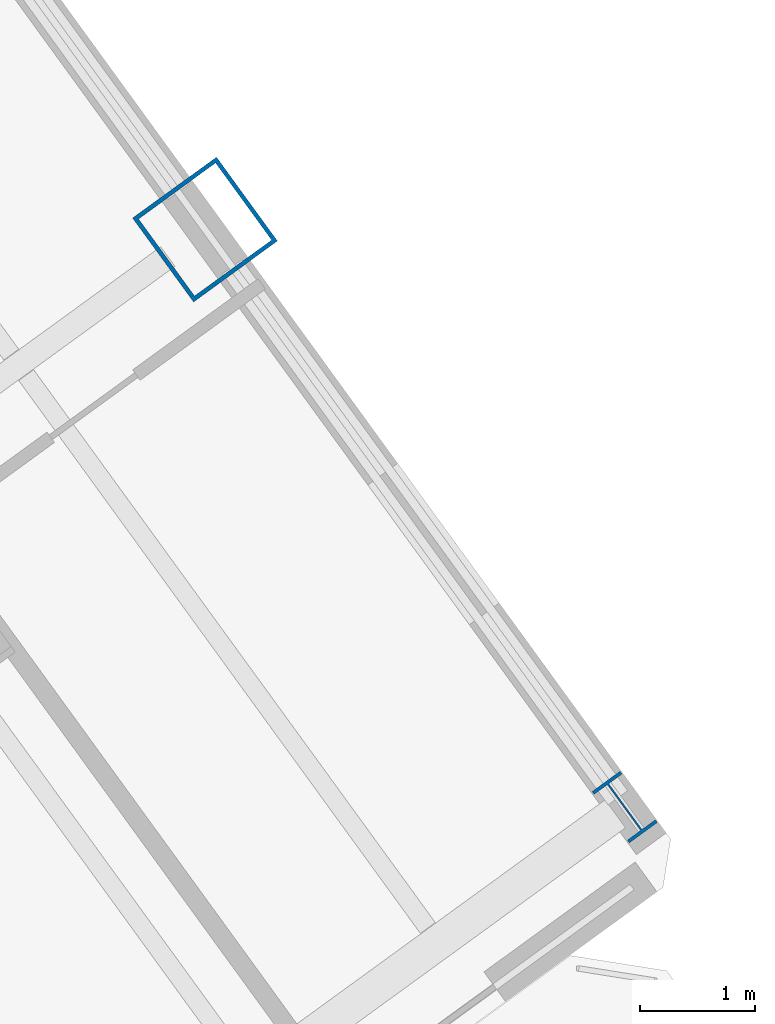
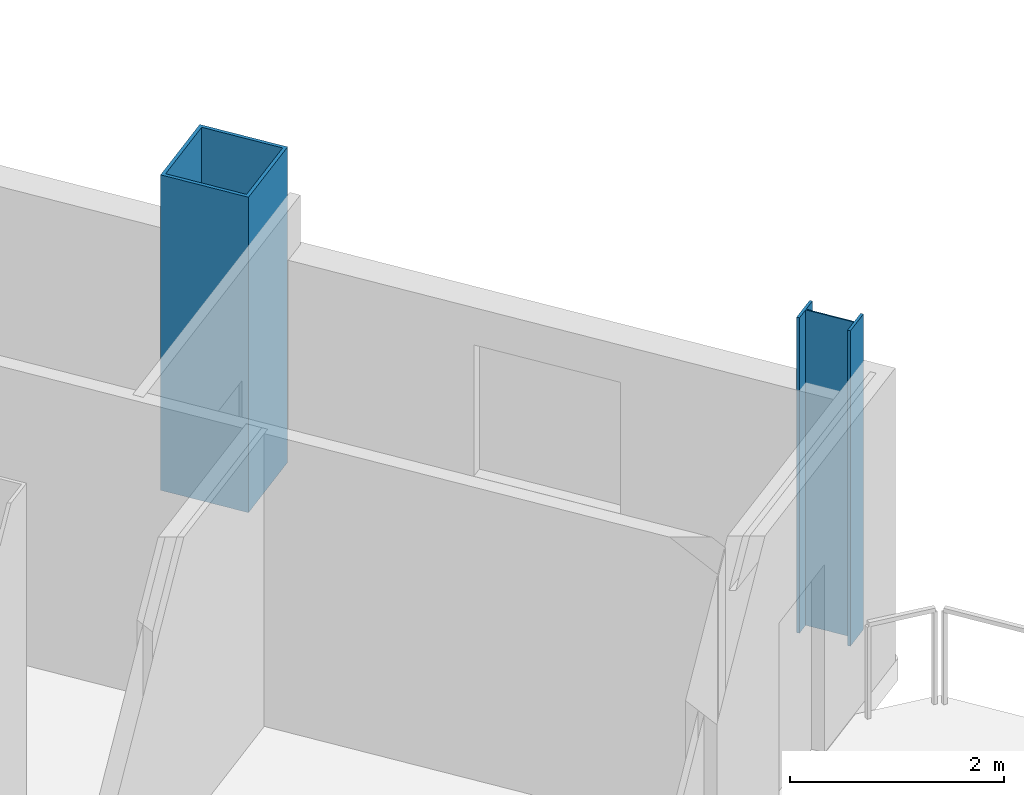
# One storey, part 4 of 29: 2 columns.
"""IFC4 building model written with IfcOpenShell, lengths in metres."""

from ifc_helpers import new_model, si_unit, direction, frame, origin, origin_2d, place, context, subcontext, project, spatial, hollow_rectangle, i_section, extrude, source, transform, mapped, material, material_profile, profile_set, type_object, element, save


model = new_model("IFC4")

# Units and contexts
model_context = context("Model", 3, precision=1e-05, world=origin(), true_north=direction((0.0, 1.0)))
body_context = subcontext(model_context, "Body", "Model", "MODEL_VIEW")
ifc_project = project(units=[si_unit("LENGTHUNIT", "METRE"), si_unit("AREAUNIT", "SQUARE_METRE"), si_unit("VOLUMEUNIT", "CUBIC_METRE"), si_unit("PLANEANGLEUNIT", "RADIAN"), si_unit("MASSUNIT", "GRAM", prefix="KILO")], contexts=[model_context])

# Site, building, storey
site_placement = place(None, origin())
site = spatial("IfcSite", under=ifc_project, at=site_placement, CompositionType="ELEMENT")
building_placement = place(site_placement, origin())
building = spatial("IfcBuilding", under=site, at=building_placement, Name="Tlacorven Tower", CompositionType="ELEMENT")
storey_placement = place(building_placement, frame((0.0, 0.0, 158.699951171875)))
storey = spatial("IfcBuildingStorey", under=building, at=storey_placement, Name="L40", CompositionType="ELEMENT", Elevation=158.699951171875)

# Columns
ifc_material = material(Name="Steel S460M", Category="steel")
ifc_material_profile_1 = material_profile(ifc_material, hollow_rectangle(XDim=0.89990234375, YDim=0.89990234375, WallThickness=0.035888671875, at=origin_2d()), Name="BOX 900X900X36")
ifc_profile_set_1 = profile_set([ifc_material_profile_1], Name="Steel S460M")
column_type_1 = type_object("IfcColumnType", Name="COL-TWR-S2", PredefinedType="COLUMN", material=ifc_profile_set_1)
shared_shape_1 = source(origin(), body_context, "Body", "SweptSolid", [
    extrude(hollow_rectangle(XDim=0.89990234375, YDim=0.89990234375, WallThickness=0.035888671875, at=origin_2d()), origin(), (0.0, 0.0, 1.0), 3.60009765625),
])
column_1_placement = place(storey_placement, frame((67.267822265625, 23.353515625, 0.0), z_axis=(0.0, 0.0, 1.0), x_axis=(0.809016994375, 0.587785252292, 0.0)))
element("IfcColumn", 1, at=column_1_placement, inside=storey, type_object=column_type_1, Name="L40 column COL-L40-E4-2", PredefinedType="COLUMN", context=body_context, shape_type="MappedRepresentation", body=[
    mapped(shared_shape_1, transform((0.0, 0.0, 0.0), scale=1.0)),
])
ifc_material_profile_2 = material_profile(ifc_material, i_section(OverallWidth=0.300048828125, OverallDepth=0.550048828125, WebThickness=0.014892578125, FlangeThickness=0.029052734375, at=origin_2d()), Name="HEB 550")
ifc_profile_set_2 = profile_set([ifc_material_profile_2], Name="Steel S460M")
column_type_2 = type_object("IfcColumnType", Name="COL-TWR-P2", PredefinedType="COLUMN", material=ifc_profile_set_2)
shared_shape_2 = source(origin(), body_context, "Body", "SweptSolid", [
    extrude(i_section(OverallWidth=0.300048828125, OverallDepth=0.550048828125, WebThickness=0.014892578125, FlangeThickness=0.029052734375, at=origin_2d()), origin(), (0.0, 0.0, 1.0), 3.60009765625),
])
column_2_placement = place(storey_placement, frame((70.911865234375, 18.337646484375, 0.0), z_axis=(0.0, 0.0, 1.0), x_axis=(0.809016994375, 0.587785252292, 0.0)))
element("IfcColumn", 2, at=column_2_placement, inside=storey, type_object=column_type_2, Name="L40 column COL-L40-E4-1", PredefinedType="COLUMN", context=body_context, shape_type="MappedRepresentation", body=[
    mapped(shared_shape_2, transform((0.0, 0.0, 0.0), scale=1.0)),
])

save(model, "model.ifc")
